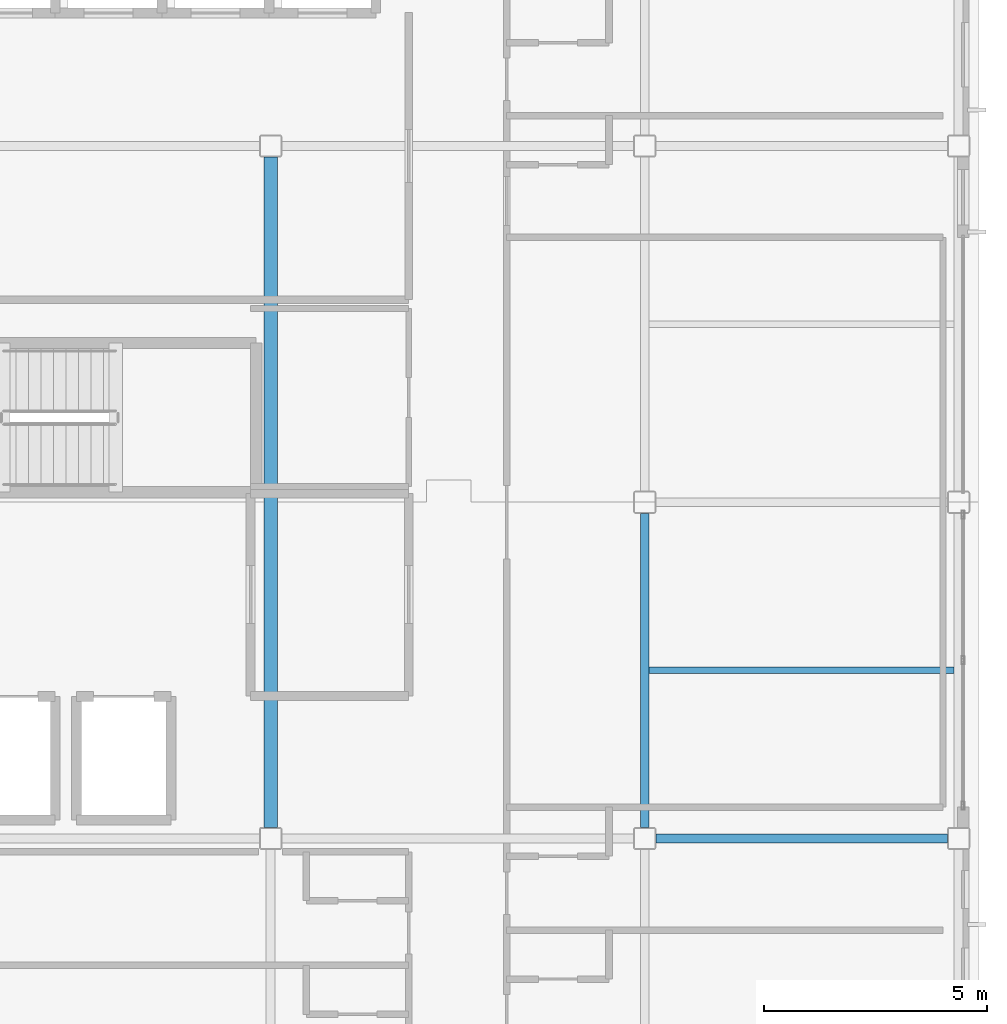
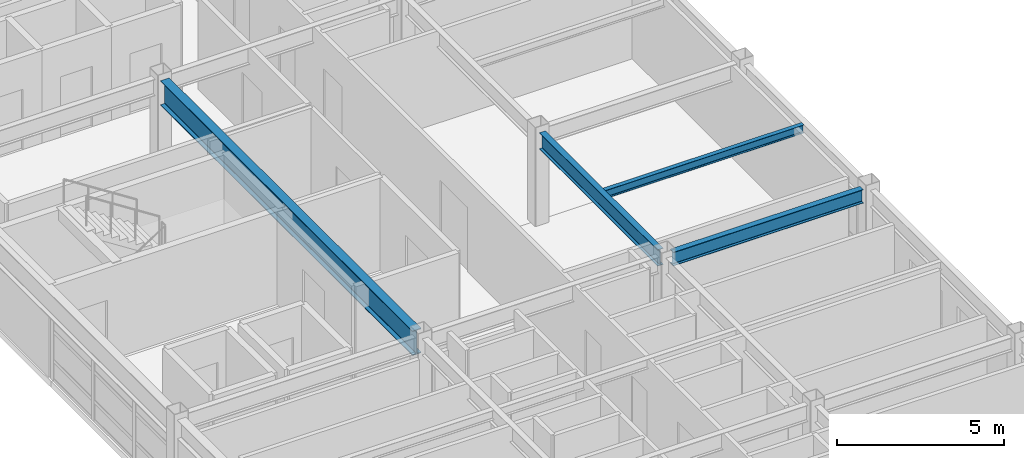
# One storey, part 13 of 35: 4 beams.
"""IFC4 building model written with IfcOpenShell, lengths in metres."""

from ifc_helpers import new_model, si_unit, direction, frame, origin, origin_2d, place, context, subcontext, project, spatial, i_section, extrude, material, material_profile, profile_set, type_object, element, save


model = new_model("IFC4")

# Units and contexts
model_context = context("Model", 3, precision=1e-05, world=origin(), true_north=direction((0.0, 1.0)))
body_context = subcontext(model_context, "Body", "Model", "MODEL_VIEW")
ifc_project = project(units=[si_unit("LENGTHUNIT", "METRE"), si_unit("AREAUNIT", "SQUARE_METRE"), si_unit("VOLUMEUNIT", "CUBIC_METRE"), si_unit("PLANEANGLEUNIT", "RADIAN"), si_unit("MASSUNIT", "GRAM", prefix="KILO")], contexts=[model_context])

# Site, building, storey
site_placement = place(None, origin())
site = spatial("IfcSite", under=ifc_project, at=site_placement, CompositionType="ELEMENT")
building_placement = place(site_placement, origin())
building = spatial("IfcBuilding", under=site, at=building_placement, Name="Kazehara Bluff Congress Hotel", CompositionType="ELEMENT")
storey_placement = place(building_placement, frame((0.0, 0.0, 35.39990234375)))
storey = spatial("IfcBuildingStorey", under=building, at=storey_placement, Name="L08", CompositionType="ELEMENT", Elevation=35.39990234375)

# Beams
ifc_material_1 = material(Name="Steel SN490B", Category="steel")
ifc_material_profile_1 = material_profile(ifc_material_1, i_section(OverallWidth=0.199951171875, OverallDepth=0.5, WebThickness=0.010009765625, FlangeThickness=0.01611328125, FilletRadius=0.012939453125, at=origin_2d()))
ifc_profile_set_1 = profile_set([ifc_material_profile_1], Name="Steel SN490B")
beam_type_1 = type_object("IfcBeamType", Name="TP-G-01", PredefinedType="BEAM", material=ifc_profile_set_1)
beam_1_placement = place(storey_placement, frame((160.75, 40.89990234375, 3.130126953125), z_axis=(1.0, 0.0, 0.0), x_axis=(0.0, 1.0, 0.0)))
element("IfcBeam", 1, at=beam_1_placement, inside=storey, type_object=beam_type_1, Name="L08 girder G-01 50", PredefinedType="BEAM", context=body_context, shape_type="SweptSolid", body=[
    extrude(i_section(OverallWidth=0.199951171875, OverallDepth=0.5, WebThickness=0.010009765625, FlangeThickness=0.01611328125, FilletRadius=0.012939453125, at=origin_2d()), origin(), (0.0, 0.0, 1.0), 6.550048828125),
])
ifc_material_2 = material(Name="Steel SN490B", Category="steel")
ifc_material_profile_2 = material_profile(ifc_material_2, i_section(OverallWidth=0.199951171875, OverallDepth=0.60009765625, WebThickness=0.010986328125, FlangeThickness=0.01708984375, FilletRadius=0.012939453125, at=origin_2d()))
ifc_profile_set_2 = profile_set([ifc_material_profile_2], Name="Steel SN490B")
beam_type_2 = type_object("IfcBeamType", Name="TP-G-02", PredefinedType="BEAM", material=ifc_profile_set_2)
beam_2_placement = place(storey_placement, frame((160.5, 41.14990234375, 3.080078125), z_axis=(0.0, 1.0, 0.0), x_axis=(-1.0, 0.0, 0.0)))
element("IfcBeam", 2, at=beam_2_placement, inside=storey, type_object=beam_type_2, Name="L08 girder G-02 23", PredefinedType="BEAM", context=body_context, shape_type="SweptSolid", body=[
    extrude(i_section(OverallWidth=0.199951171875, OverallDepth=0.60009765625, WebThickness=0.010986328125, FlangeThickness=0.01708984375, FilletRadius=0.012939453125, at=origin_2d()), origin(), (0.0, 0.0, 1.0), 7.050048828125),
])
ifc_material_3 = material(Name="Steel SN490B", Category="steel")
ifc_material_profile_3 = material_profile(ifc_material_3, i_section(OverallWidth=0.300048828125, OverallDepth=0.89990234375, WebThickness=0.01611328125, FlangeThickness=0.028076171875, FilletRadius=0.01806640625, at=origin_2d()))
ifc_profile_set_3 = profile_set([ifc_material_profile_3], Name="Steel SN490B")
beam_type_3 = type_object("IfcBeamType", Name="TP-G-08", PredefinedType="BEAM", material=ifc_profile_set_3)
beam_3_placement = place(storey_placement, frame((152.10009765625, 41.14990234375, 2.93017578125), z_axis=(0.0, 1.0, 0.0), x_axis=(-1.0, 0.0, 0.0)))
element("IfcBeam", 3, at=beam_3_placement, inside=storey, type_object=beam_type_3, Name="L08 girder G-08 15", PredefinedType="BEAM", context=body_context, shape_type="SweptSolid", body=[
    extrude(i_section(OverallWidth=0.300048828125, OverallDepth=0.89990234375, WebThickness=0.01611328125, FlangeThickness=0.028076171875, FilletRadius=0.01806640625, at=origin_2d()), origin(), (0.0, 0.0, 1.0), 15.050048828125),
])
ifc_material_4 = material(Name="Steel SN400B", Category="steel")
ifc_material_profile_4 = material_profile(ifc_material_4, i_section(OverallWidth=0.14990234375, OverallDepth=0.300048828125, WebThickness=0.006591796875, FlangeThickness=0.009033203125, FilletRadius=0.012939453125, at=origin_2d()))
ifc_profile_set_4 = profile_set([ifc_material_profile_4], Name="Steel SN400B")
beam_type_4 = type_object("IfcBeamType", Name="TP-J-01", PredefinedType="JOIST", material=ifc_profile_set_4)
beam_4_placement = place(storey_placement, frame((160.60009765625, 44.675048828125, 3.22998046875), z_axis=(1.0, 0.0, 0.0), x_axis=(0.0, 1.0, 0.0)))
element("IfcBeam", 4, at=beam_4_placement, inside=storey, type_object=beam_type_4, Name="L08 secondary joist J-01 16", PredefinedType="JOIST", context=body_context, shape_type="SweptSolid", body=[
    extrude(i_section(OverallWidth=0.14990234375, OverallDepth=0.300048828125, WebThickness=0.006591796875, FlangeThickness=0.009033203125, FilletRadius=0.012939453125, at=origin_2d()), origin(), (0.0, 0.0, 1.0), 6.849853515625),
])

save(model, "model.ifc")
